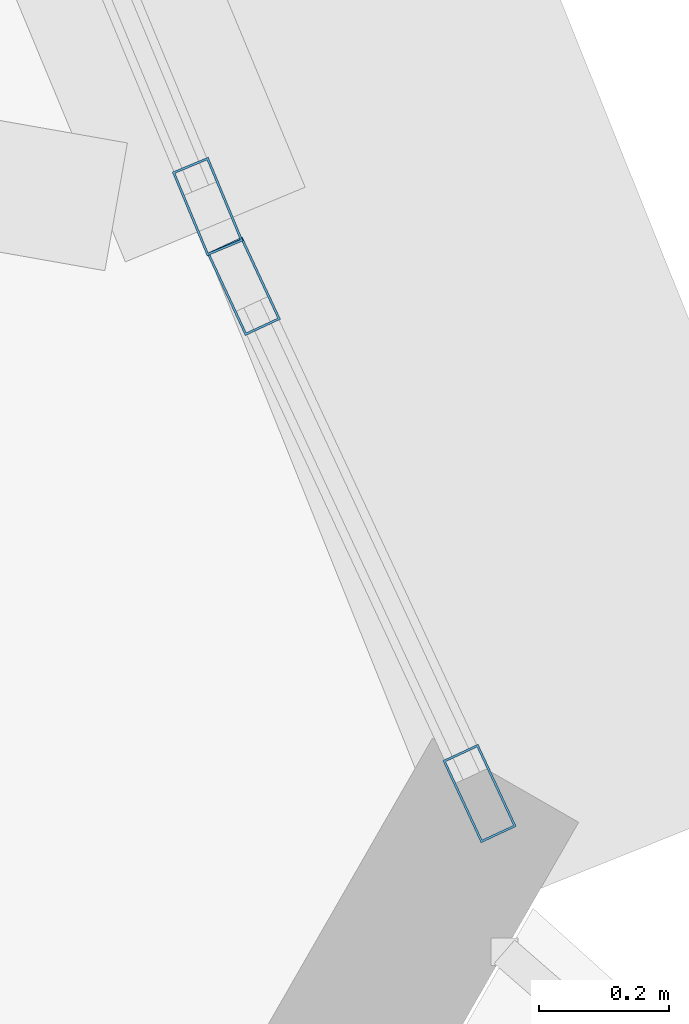
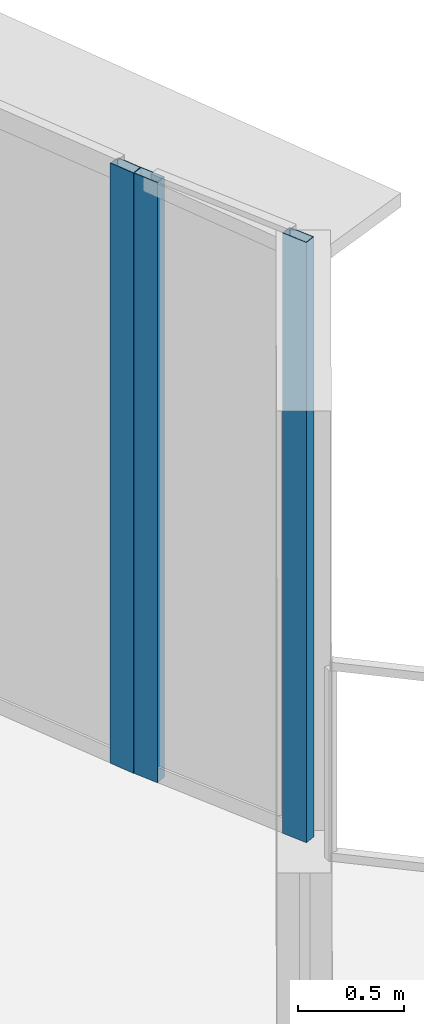
# One storey, part 26 of 37: 3 members, 2 elements without a shape of their own.
"""IFC4 building model written with IfcOpenShell, lengths in metres."""

from ifc_helpers import new_model, si_unit, direction, frame, origin, origin_2d, place, context, subcontext, project, spatial, hollow_rectangle, extrude, source, transform, mapped, material, layer, layer_set, material_profile, profile_set, type_object, element, aggregate, save


model = new_model("IFC4")

# Units and contexts
model_context = context("Model", 3, precision=1e-05, world=origin(), true_north=direction((0.0, 1.0)))
body_context = subcontext(model_context, "Body", "Model", "MODEL_VIEW")
ifc_project = project(units=[si_unit("LENGTHUNIT", "METRE"), si_unit("AREAUNIT", "SQUARE_METRE"), si_unit("VOLUMEUNIT", "CUBIC_METRE"), si_unit("PLANEANGLEUNIT", "RADIAN"), si_unit("MASSUNIT", "GRAM", prefix="KILO"), si_unit("THERMODYNAMICTEMPERATUREUNIT", "KELVIN"), si_unit("POWERUNIT", "WATT")], contexts=[model_context])

# Site, building, storey
site_placement = place(None, origin())
site = spatial("IfcSite", under=ifc_project, at=site_placement, CompositionType="ELEMENT")
building_placement = place(site_placement, origin())
building = spatial("IfcBuilding", under=site, at=building_placement, Name="Yunzhuo Pagoda Commons", CompositionType="ELEMENT")
storey_placement = place(building_placement, frame((0.0, 0.0, 277.56005859375)))
storey = spatial("IfcBuildingStorey", under=building, at=storey_placement, Name="L69", CompositionType="ELEMENT", Elevation=277.56005859375)

# Curtain wall, member
ifc_material = material(Name="Anodized aluminium 6063-T6", Category="aluminium")
ifc_layer = layer(ifc_material, 0.139892578125)
ifc_layer_set = layer_set([ifc_layer], Name="Anodized aluminium 6063-T6")
curtain_wall_type = type_object("IfcCurtainWallType", Name="CW-HI High-Zone Ribbon Curtain Wall", PredefinedType="NOTDEFINED", material=ifc_layer_set)
curtain_wall_1_placement = place(storey_placement, origin())
curtain_wall_1 = element("IfcCurtainWall", 1, at=curtain_wall_1_placement, inside=storey, type_object=curtain_wall_type, Name="L69 curtain wall CW-L69-F2B2", PredefinedType="NOTDEFINED")
ifc_material_profile = material_profile(ifc_material, hollow_rectangle(XDim=0.06005859375, YDim=0.139892578125, WallThickness=0.00341796875, at=origin_2d()), Name="Anodized aluminium 6063-T6")
ifc_profile_set = profile_set([ifc_material_profile], Name="Anodized aluminium 6063-T6")
member_type = type_object("IfcMemberType", Name="CW-HI-M Mullion RHS 140x60x3.5", PredefinedType="MULLION", material=ifc_profile_set)
shared_shape = source(origin(), body_context, "Body", "SweptSolid", [
    extrude(hollow_rectangle(XDim=0.06005859375, YDim=0.139892578125, WallThickness=0.00341796875, at=origin_2d()), origin(), (0.0, 0.0, 1.0), 3.469970703125),
])
member_1_placement = place(storey_placement, frame((80.138671875, 28.058837890625, 0.0), z_axis=(0.0, 0.0, 1.0), x_axis=(-0.923393531316, -0.383854642182, 0.0)))
member_1 = element("IfcMember", 2, at=member_1_placement, type_object=member_type, Name="CW mullion 1", PredefinedType="MULLION", context=body_context, shape_type="MappedRepresentation", body=[
    mapped(shared_shape, transform((0.0, 0.0, 0.0), scale=1.0)),
])
aggregate(curtain_wall_1, [member_1])

# Curtain wall, members
curtain_wall_2_placement = place(storey_placement, origin())
curtain_wall_2 = element("IfcCurtainWall", 3, at=curtain_wall_2_placement, inside=storey, type_object=curtain_wall_type, Name="L69 curtain wall CW-L69-F2B1", PredefinedType="NOTDEFINED")
member_2_placement = place(storey_placement, frame((80.557861328125, 27.15380859375, 0.0), z_axis=(0.0, 0.0, 1.0), x_axis=(-0.906871417291, -0.421407442389, 0.0)))
member_2 = element("IfcMember", 4, at=member_2_placement, type_object=member_type, Name="CW mullion 1", PredefinedType="MULLION", context=body_context, shape_type="MappedRepresentation", body=[
    mapped(shared_shape, transform((0.0, 0.0, 0.0), scale=1.0)),
])
member_3_placement = place(storey_placement, frame((80.1943359375, 27.935791015625, 0.0), z_axis=(0.0, 0.0, 1.0), x_axis=(-0.906871417291, -0.421407442389, 0.0)))
member_3 = element("IfcMember", 5, at=member_3_placement, type_object=member_type, Name="CW mullion 2", PredefinedType="MULLION", context=body_context, shape_type="MappedRepresentation", body=[
    mapped(shared_shape, transform((0.0, 0.0, 0.0), scale=1.0)),
])
aggregate(curtain_wall_2, [member_2, member_3])

save(model, "model.ifc")
